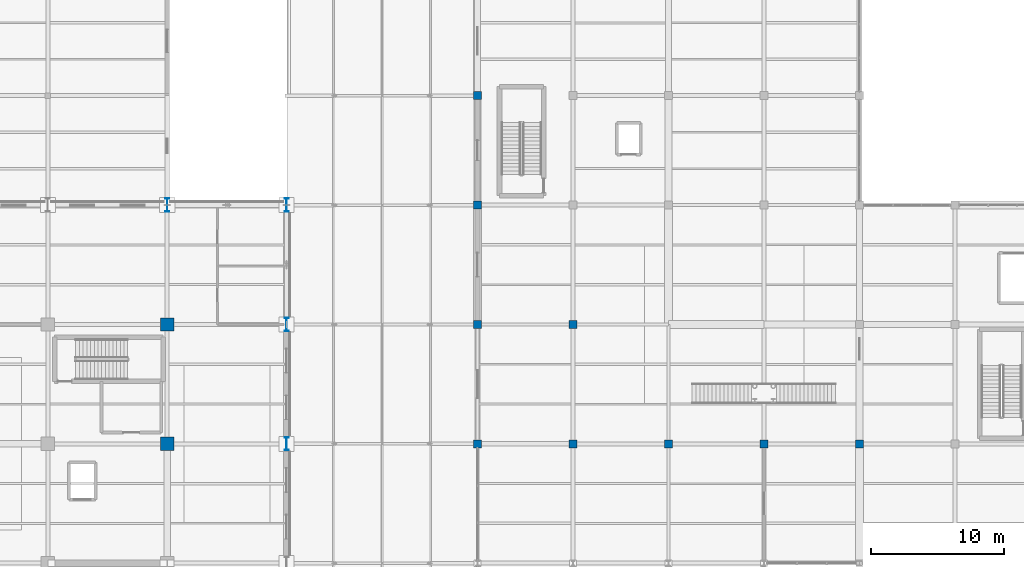
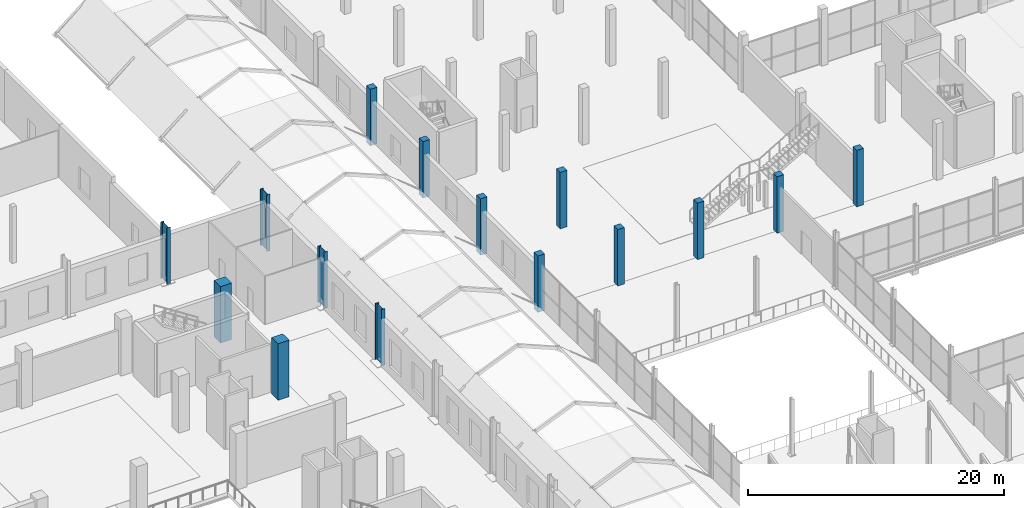
# One storey, part 6 of 141: 15 columns.
"""IFC4 building model written with IfcOpenShell, lengths in metres."""

from ifc_helpers import new_model, si_unit, direction, frame, origin, origin_2d, place, context, subcontext, project, spatial, rectangle, i_section, extrude, material, material_profile, profile_set, type_object, element, save


model = new_model("IFC4")

# Units and contexts
model_context = context("Model", 3, precision=1e-05, world=origin(), true_north=direction((0.0, 1.0)))
body_context = subcontext(model_context, "Body", "Model", "MODEL_VIEW")
ifc_project = project(units=[si_unit("LENGTHUNIT", "METRE"), si_unit("AREAUNIT", "SQUARE_METRE"), si_unit("VOLUMEUNIT", "CUBIC_METRE"), si_unit("PLANEANGLEUNIT", "RADIAN"), si_unit("MASSUNIT", "GRAM", prefix="KILO")], contexts=[model_context])

# Site, building, storey
site_placement = place(None, origin())
site = spatial("IfcSite", under=ifc_project, at=site_placement, CompositionType="ELEMENT")
building_placement = place(site_placement, origin())
building = spatial("IfcBuilding", under=site, at=building_placement, Name="Sundgate Opera House", CompositionType="ELEMENT")
storey_placement = place(building_placement, frame((0.0, 0.0, 11.39990234375)))
storey = spatial("IfcBuildingStorey", under=building, at=storey_placement, Name="L02", CompositionType="ELEMENT", Elevation=11.39990234375)

# Columns
ifc_material_1 = material(Name="Concrete C45/55", Category="concrete")
ifc_material_profile_1 = material_profile(ifc_material_1, rectangle(XDim=1.0, YDim=1.0, at=origin_2d()), Name="RC 1000x1000")
ifc_profile_set_1 = profile_set([ifc_material_profile_1], Name="Concrete C45/55")
column_type_1 = type_object("IfcColumnType", Name="CL-RC-1000", PredefinedType="COLUMN", material=ifc_profile_set_1)
for number, where, z_axis, x_axis, name in (
    (1, (72.0, 69.0, 0.0), (0.0, 0.0, 1.0), (1.0, 0.0, 0.0), "L02 Column C0486"),
    (2, (72.0, 78.0, 0.0), (0.0, 0.0, 1.0), (1.0, 0.0, 0.0), "L02 Column C0494"),
):
    element("IfcColumn", number, at=place(storey_placement, frame(where, z_axis=z_axis, x_axis=x_axis)), inside=storey, type_object=column_type_1, Name=name, PredefinedType="COLUMN", context=body_context, shape_type="SweptSolid", body=[
        extrude(rectangle(XDim=1.0, YDim=1.0, at=origin_2d()), origin(), (0.0, 0.0, 1.0), 5.400146484375),
    ])
ifc_material_2 = material(Name="Concrete C35/45", Category="concrete")
ifc_material_profile_2 = material_profile(ifc_material_2, rectangle(XDim=0.60009765625, YDim=0.60009765625, at=origin_2d()), Name="RC 600x600")
ifc_profile_set_2 = profile_set([ifc_material_profile_2], Name="Concrete C35/45")
column_type_2 = type_object("IfcColumnType", Name="CL-RC-600", PredefinedType="COLUMN", material=ifc_profile_set_2)
for number, where, z_axis, x_axis, name in (
    (3, (95.39990234375, 69.0, 0.0), (0.0, 0.0, 1.0), (1.0, 0.0, 0.0), "L02 Column C0659"),
    (4, (95.39990234375, 78.0, 0.0), (0.0, 0.0, 1.0), (1.0, 0.0, 0.0), "L02 Column C0665"),
    (5, (95.39990234375, 87.0, 0.0), (0.0, 0.0, 1.0), (1.0, 0.0, 0.0), "L02 Column C0671"),
    (6, (95.39990234375, 95.25, 0.0), (0.0, 0.0, 1.0), (1.0, 0.0, 0.0), "L02 Column C0677"),
    (7, (102.60009765625, 69.0, 0.0), (0.0, 0.0, 1.0), (1.0, 0.0, 0.0), "L02 Column C0723"),
    (8, (102.60009765625, 78.0, 0.0), (0.0, 0.0, 1.0), (1.0, 0.0, 0.0), "L02 Column C0729"),
    (9, (109.800048828125, 69.0, 0.0), (0.0, 0.0, 1.0), (1.0, 0.0, 0.0), "L02 Column C0787"),
    (10, (117.0, 69.0, 0.0), (0.0, 0.0, 1.0), (1.0, 0.0, 0.0), "L02 Column C0851"),
    (11, (124.199951171875, 69.0, 0.0), (0.0, 0.0, 1.0), (1.0, 0.0, 0.0), "L02 Column C0911"),
):
    element("IfcColumn", number, at=place(storey_placement, frame(where, z_axis=z_axis, x_axis=x_axis)), inside=storey, type_object=column_type_2, Name=name, PredefinedType="COLUMN", context=body_context, shape_type="SweptSolid", body=[
        extrude(rectangle(XDim=0.60009765625, YDim=0.60009765625, at=origin_2d()), origin(), (0.0, 0.0, 1.0), 5.400146484375),
    ])
ifc_material_3 = material(Name="Steel S355J2", Category="steel")
ifc_material_profile_3 = material_profile(ifc_material_3, i_section(OverallWidth=0.300048828125, OverallDepth=1.0, WebThickness=0.01904296875, FlangeThickness=0.035888671875, at=origin_2d()), Name="HEB 1000")
ifc_profile_set_3 = profile_set([ifc_material_profile_3], Name="Steel S355J2")
column_type_3 = type_object("IfcColumnType", Name="CL-STL-1000", PredefinedType="COLUMN", material=ifc_profile_set_3)
for number, where, z_axis, x_axis, name in (
    (12, (72.0, 87.0, 0.0), (0.0, 0.0, 1.0), (1.0, 0.0, 0.0), "L02 Column C0500"),
    (13, (81.0, 69.0, 0.0), (0.0, 0.0, 1.0), (1.0, 0.0, 0.0), "L02 Column C0551"),
    (14, (81.0, 78.0, 0.0), (0.0, 0.0, 1.0), (1.0, 0.0, 0.0), "L02 Column C0557"),
    (15, (81.0, 87.0, 0.0), (0.0, 0.0, 1.0), (1.0, 0.0, 0.0), "L02 Column C0563"),
):
    element("IfcColumn", number, at=place(storey_placement, frame(where, z_axis=z_axis, x_axis=x_axis)), inside=storey, type_object=column_type_3, Name=name, PredefinedType="COLUMN", context=body_context, shape_type="SweptSolid", body=[
        extrude(i_section(OverallWidth=0.300048828125, OverallDepth=1.0, WebThickness=0.01904296875, FlangeThickness=0.035888671875, at=origin_2d()), origin(), (0.0, 0.0, 1.0), 5.400146484375),
    ])

save(model, "model.ifc")
